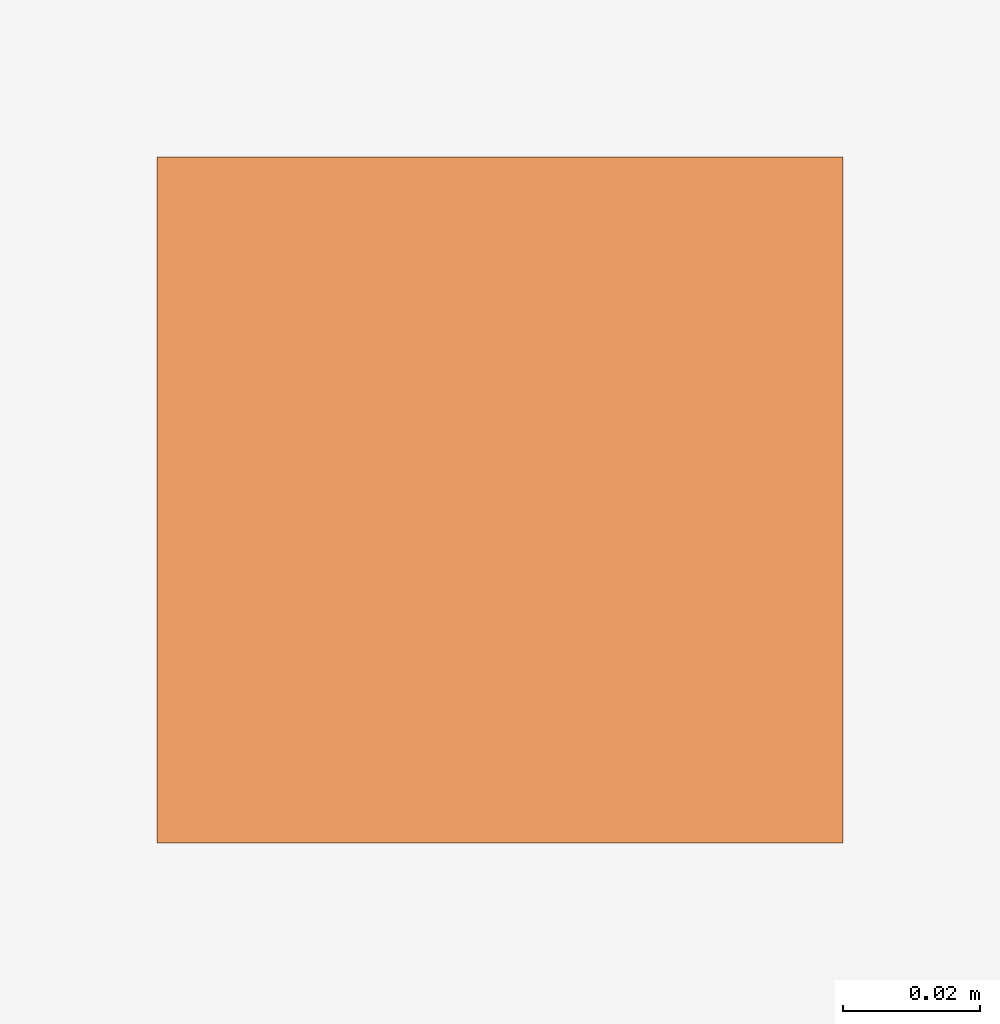
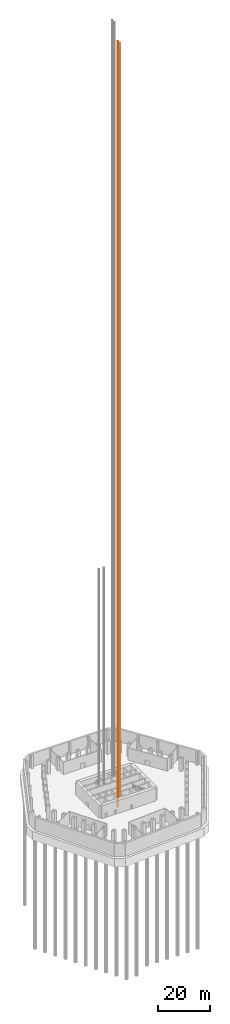
# One storey, part 8 of 12: 1 proxy.
"""IFC4 building model written with IfcOpenShell, lengths in metres."""

from ifc_helpers import new_model, si_unit, direction, frame, origin, origin_2d, place, context, subcontext, project, spatial, rectangle, extrude, material, type_object, element, save


model = new_model("IFC4")

# Units and contexts
model_context = context("Model", 3, precision=1e-05, world=origin(), true_north=direction((0.0, 1.0)))
body_context = subcontext(model_context, "Body", "Model", "MODEL_VIEW")
ifc_project = project(units=[si_unit("LENGTHUNIT", "METRE"), si_unit("AREAUNIT", "SQUARE_METRE"), si_unit("VOLUMEUNIT", "CUBIC_METRE"), si_unit("PLANEANGLEUNIT", "RADIAN"), si_unit("MASSUNIT", "GRAM", prefix="KILO")], contexts=[model_context])

# Site, building, storey
site_placement = place(None, origin())
site = spatial("IfcSite", under=ifc_project, at=site_placement, CompositionType="ELEMENT")
building_placement = place(site_placement, origin())
building = spatial("IfcBuilding", under=site, at=building_placement, Name="Qingtian Harvest Tower", CompositionType="ELEMENT")
storey_placement = place(building_placement, frame((0.0, 0.0, -12.0)))
storey = spatial("IfcBuildingStorey", under=building, at=storey_placement, Name="B2", CompositionType="ELEMENT", Elevation=-12.0)

# Proxy
ifc_material = material(Name="Steel SN490B", Category="steel")
building_element_proxy_type = type_object("IfcBuildingElementProxyType", Name="Lift guide rail LR1", PredefinedType="NOTDEFINED", material=ifc_material)
proxy_placement = place(storey_placement, frame((-2.60009765625, -5.85009765625, 0.0), z_axis=(0.0, 0.0, 1.0), x_axis=(1.0, 0.0, 0.0)))
element("IfcBuildingElementProxy", 1, at=proxy_placement, inside=storey, type_object=building_element_proxy_type, Name="Lift FL2 guide rail 2", PredefinedType="NOTDEFINED", context=body_context, shape_type="SweptSolid", body=[
    extrude(rectangle(XDim=0.10009765625, YDim=0.10009765625, at=origin_2d()), origin(), (0.0, 0.0, 1.0), 358.0),
])

save(model, "model.ifc")
